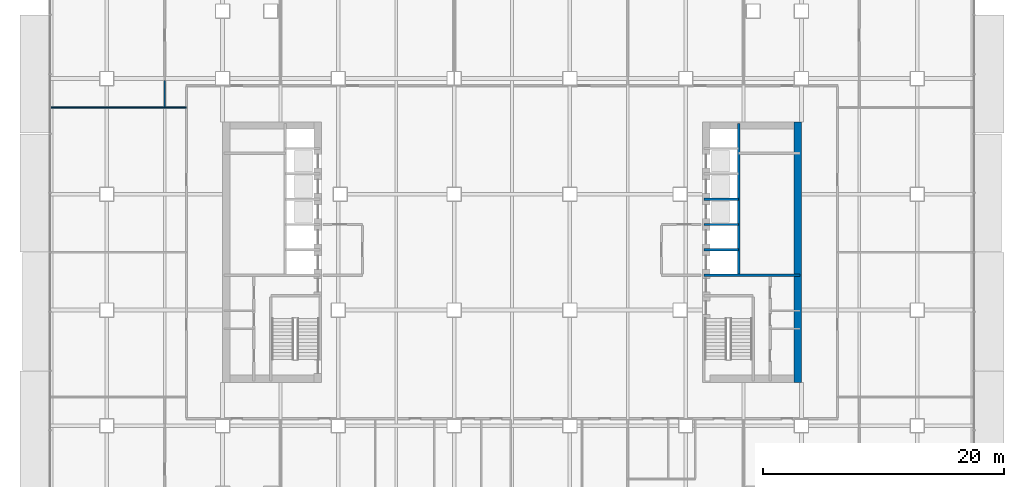
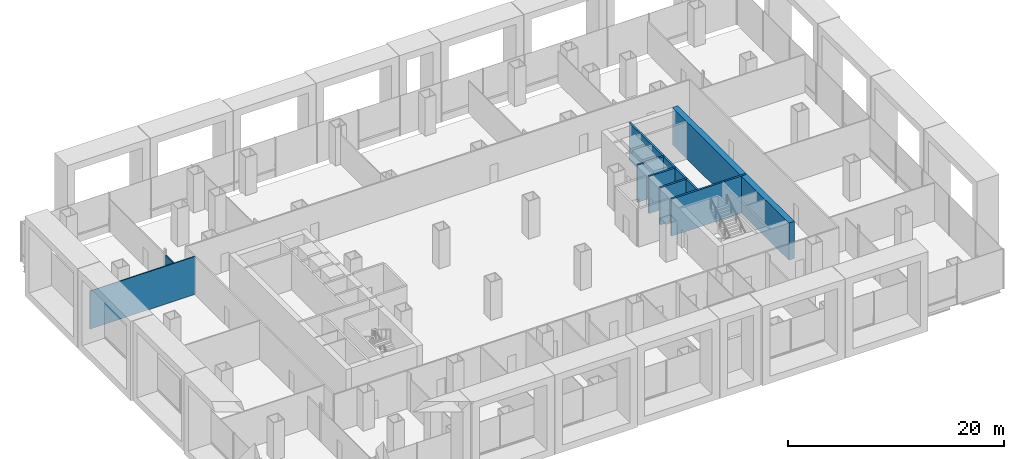
# One storey, part 16 of 23: 8 walls.
"""IFC4 building model written with IfcOpenShell, lengths in metres."""

import ifcopenshell
import ifcopenshell.guid

model = None  # the IFC model being written
_history = None  # IfcOwnerHistory: only IFC2X3 demands one
_inside = {}  # id of a spatial element -> (the spatial element, [elements in it])
_under = {}  # id of a project, library or spatial element -> (it, [spatial elements below it])
_declared = {}  # id of a project -> (the project, [libraries it declares])
_typed = {}  # id of a type object -> (the type object, [elements of that type])
_made_of = {}  # id of a material, layer set ... -> (it, [elements and type objects made of it])


def new_model(schema):
    """Start an empty IFC model of exactly this schema.

    Asked for "IFC4X3", IfcOpenShell would pick the latest addendum, in which some entities
    have other attributes; the version numbers below select the first issue.
    IFC2X3 requires an IfcOwnerHistory on every rooted entity: one is made here for all.
    """
    global model, _history
    if schema == "IFC4X3":
        model = ifcopenshell.file(schema_version=(4, 3, 0, 0))
    else:
        model = ifcopenshell.file(schema=schema)
    _inside.clear()
    _under.clear()
    _declared.clear()
    _typed.clear()
    _made_of.clear()
    _history = None
    if model.schema == "IFC2X3":
        org = make("IfcOrganization", Name="unknown")
        user = make(
            "IfcPersonAndOrganization",
            ThePerson=make("IfcPerson", FamilyName="unknown"),
            TheOrganization=org,
        )
        app = make(
            "IfcApplication",
            ApplicationDeveloper=org,
            Version="unknown",
            ApplicationFullName="unknown",
            ApplicationIdentifier="unknown",
        )
        _history = make(
            "IfcOwnerHistory",
            OwningUser=user,
            OwningApplication=app,
            ChangeAction="ADDED",
            CreationDate=0,
        )
    return model


def make(cls, **values):
    """One entity of the class cls with the attributes given. An attribute that is None is left unset."""
    return model.create_entity(
        cls, **{name: value for name, value in values.items() if value is not None}
    )


def rooted(cls, **values):
    """An entity with a GlobalId (a new one), such as an element, a storey or a relation."""
    return make(cls, GlobalId=ifcopenshell.guid.new(), OwnerHistory=_history, **values)


def si_unit(unit_type, name, prefix=None):
    """IfcSIUnit, for example si_unit("LENGTHUNIT", "METRE", prefix="MILLI")."""
    return make("IfcSIUnit", UnitType=unit_type, Prefix=prefix, Name=name)


def assignment(units):
    """IfcUnitAssignment: the units of a project."""
    return None if units is None else make("IfcUnitAssignment", Units=units)


def point(xyz):
    """IfcCartesianPoint."""
    return None if xyz is None else make("IfcCartesianPoint", Coordinates=xyz)


def direction(xyz):
    """IfcDirection."""
    return None if xyz is None else make("IfcDirection", DirectionRatios=xyz)


def frame(location, z_axis=None, x_axis=None):
    """IfcAxis2Placement3D, a coordinate frame: its origin and axes. An axis left out is left unset."""
    return make(
        "IfcAxis2Placement3D",
        Location=point(location),
        Axis=direction(z_axis),
        RefDirection=direction(x_axis),
    )


def frame_2d(location, x_axis=None):
    """IfcAxis2Placement2D, a coordinate frame in the plane: its origin and x axis."""
    return make(
        "IfcAxis2Placement2D", Location=point(location), RefDirection=direction(x_axis)
    )


def origin():
    """The frame at (0, 0, 0) with its axes left unset."""
    return frame((0.0, 0.0, 0.0))


def place(relative_to, where):
    """IfcLocalPlacement: puts the frame where relative to a parent placement (None: the world)."""
    return make(
        "IfcLocalPlacement", PlacementRelTo=relative_to, RelativePlacement=where
    )


def context(
    kind, dimensions, precision=None, world=None, true_north=None, identifier=None
):
    """IfcGeometricRepresentationContext, for example the 3D "Model" context."""
    return make(
        "IfcGeometricRepresentationContext",
        ContextIdentifier=identifier,
        ContextType=kind,
        CoordinateSpaceDimension=dimensions,
        Precision=precision,
        WorldCoordinateSystem=world,
        TrueNorth=true_north,
    )


def subcontext(parent, identifier, kind, view, scale=None):
    """IfcGeometricRepresentationSubContext, for example "Body" below "Model"."""
    return make(
        "IfcGeometricRepresentationSubContext",
        ContextIdentifier=identifier,
        ContextType=kind,
        ParentContext=parent,
        TargetScale=scale,
        TargetView=view,
    )


def project(units=None, contexts=None):
    """IfcProject with its units and contexts."""
    return rooted(
        "IfcProject",
        Name="project",
        RepresentationContexts=contexts,
        UnitsInContext=assignment(units),
    )


def spatial(cls, under=None, at=None, **own):
    """A site, building, storey or space (cls), placed at a placement, below another one or the project."""
    s = rooted(cls, ObjectPlacement=at, **own)
    if under is not None:
        _under.setdefault(under.id(), (under, []))[1].append(s)
    return s


def profile(cls, at=None, kind="AREA", **sizes):
    """A parametric profile (cls). Its sizes go by their IFC names, for example OverallWidth=200.0."""
    return make(cls, ProfileType=kind, Position=at, **sizes)


def rectangle(**sizes):
    """IfcRectangleProfileDef."""
    return profile("IfcRectangleProfileDef", **sizes)


def extrude(swept, where, along, depth):
    """IfcExtrudedAreaSolid: the profile swept, set in the frame where, extruded along a direction by depth."""
    return make(
        "IfcExtrudedAreaSolid",
        SweptArea=swept,
        Position=where,
        ExtrudedDirection=direction(along),
        Depth=depth,
    )


def shape(context_of_items, identifier, shape_type, items):
    """IfcShapeRepresentation: the items that make up one representation, for example the "Body"."""
    return make(
        "IfcShapeRepresentation",
        ContextOfItems=context_of_items,
        RepresentationIdentifier=identifier,
        RepresentationType=shape_type,
        Items=items,
    )


def material(Name=None, Category=None):
    """IfcMaterial."""
    return make("IfcMaterial", Name=Name, Category=Category)


def layer(
    of_material, thickness, ventilated=None, Name=None, Category=None, Priority=None
):
    """IfcMaterialLayer: one layer of a wall or slab, of a material (None: an air gap)."""
    return make(
        "IfcMaterialLayer",
        Material=of_material,
        LayerThickness=thickness,
        IsVentilated=ventilated,
        Name=Name,
        Category=Category,
        Priority=Priority,
    )


def layer_set(layers, Name=None):
    """IfcMaterialLayerSet."""
    return make("IfcMaterialLayerSet", MaterialLayers=layers, LayerSetName=Name)


def made_of(thing, what):
    """Note that an element or type object is made of a material, layer set ...; save() writes the relation."""
    if what is not None:
        _made_of.setdefault(what.id(), (what, []))[1].append(thing)
    return thing


def type_object(cls, material=None, **own):
    """A type object (cls), such as IfcWallType, which elements share."""
    return made_of(rooted(cls, **own), material)


def element(
    cls,
    number,
    at=None,
    inside=None,
    cuts=None,
    type_object=None,
    material=None,
    context=None,
    identifier="Body",
    shape_type=None,
    held_by="IfcProductDefinitionShape",
    body=None,
    shapes=None,
    **own,
):
    """One element of the class cls, such as IfcWall. Its Tag is "e" and its number.

    at: its placement. inside: the storey or other place that contains it. cuts: it is an
    opening in that element (IfcRelVoidsElement). A single representation is given by context,
    identifier, shape_type and body (its items); several are given by shapes. held_by: the class
    of the entity that holds the representations. save() writes the other relations.
    """
    e = rooted(cls, Tag="e%d" % number, ObjectPlacement=at, **own)
    if body is not None:
        shapes = [shape(context, identifier, shape_type, body)]
    if shapes is not None:
        e.Representation = make(held_by, Representations=shapes)
    if inside is not None:
        _inside.setdefault(inside.id(), (inside, []))[1].append(e)
    if cuts is not None:
        rooted(
            "IfcRelVoidsElement", RelatingBuildingElement=cuts, RelatedOpeningElement=e
        )
    if type_object is not None:
        _typed.setdefault(type_object.id(), (type_object, []))[1].append(e)
    return made_of(e, material)


def aggregate(whole, parts):
    """IfcRelAggregates: a whole, such as a stair, and the parts it consists of."""
    return rooted("IfcRelAggregates", RelatingObject=whole, RelatedObjects=parts)


def save(model, path):
    """Write the relations noted so far, then the file.

    IfcRelAggregates (storeys below a building ...), IfcRelContainedInSpatialStructure (elements
    in a storey), IfcRelDefinesByType, IfcRelAssociatesMaterial and IfcRelDeclares: one each for
    every whole, place, type object, material and project.
    """
    for whole, parts in _under.values():
        aggregate(whole, parts)
    for where, things in _inside.values():
        rooted(
            "IfcRelContainedInSpatialStructure",
            RelatedElements=things,
            RelatingStructure=where,
        )
    for kind, things in _typed.values():
        rooted("IfcRelDefinesByType", RelatedObjects=things, RelatingType=kind)
    for what, things in _made_of.values():
        rooted("IfcRelAssociatesMaterial", RelatedObjects=things, RelatingMaterial=what)
    for by, libraries in _declared.values():
        rooted("IfcRelDeclares", RelatingContext=by, RelatedDefinitions=libraries)
    model.write(path)


model = new_model("IFC4")

# Units and contexts
model_context = context("Model", 3, precision=1e-05, world=origin(), true_north=direction((0.0, 1.0)))
body_context = subcontext(model_context, "Body", "Model", "MODEL_VIEW")
ifc_project = project(units=[si_unit("LENGTHUNIT", "METRE"), si_unit("AREAUNIT", "SQUARE_METRE"), si_unit("VOLUMEUNIT", "CUBIC_METRE"), si_unit("PLANEANGLEUNIT", "RADIAN"), si_unit("MASSUNIT", "GRAM", prefix="KILO")], contexts=[model_context])

# Site, building, storey
site_placement = place(None, origin())
site = spatial("IfcSite", under=ifc_project, at=site_placement, CompositionType="ELEMENT")
building_placement = place(site_placement, origin())
building = spatial("IfcBuilding", under=site, at=building_placement, Name="Cobrizo Arcos Hotel Tower", CompositionType="ELEMENT")
storey_placement = place(building_placement, frame((0.0, 0.0, 24.5)))
storey = spatial("IfcBuildingStorey", under=building, at=storey_placement, Name="L04", CompositionType="ELEMENT", Elevation=24.5)

# Walls
ifc_material_1 = material(Name="Gypsum board partition")
ifc_layer_1 = layer(ifc_material_1, 0.10009765625)
ifc_layer_set_1 = layer_set([ifc_layer_1], Name="Partition EI 30 100")
wall_type_1 = type_object("IfcWallType", Name="Partition EI 30 100", PredefinedType="PARTITIONING", material=ifc_layer_set_1)
wall_1_placement = place(storey_placement, frame((-38.280029296875, 12.0, 0.0), z_axis=(0.0, 0.0, 1.0), x_axis=(1.0, 0.0, 0.0)))
element("IfcWall", 1, at=wall_1_placement, inside=storey, type_object=wall_type_1, Name="Partition 031", PredefinedType="PARTITIONING", context=body_context, shape_type="SweptSolid", body=[
    extrude(rectangle(XDim=11.280029296875, YDim=0.10009765625, at=frame_2d((5.64013671875, 0.0))), origin(), (0.0, 0.0, 1.0), 4.300048828125),
])
wall_2_placement = place(storey_placement, frame((-28.800048828125, 12.050048828125, 0.0), z_axis=(0.0, 0.0, 1.0), x_axis=(0.0, 1.0, 0.0)))
element("IfcWall", 2, at=wall_2_placement, inside=storey, type_object=wall_type_1, Name="Partition 037", PredefinedType="PARTITIONING", context=body_context, shape_type="SweptSolid", body=[
    extrude(rectangle(XDim=2.196044921875, YDim=0.10009765625, at=frame_2d((1.09814453125, 0.0))), origin(), (0.0, 0.0, 1.0), 3.68310546875),
])
ifc_material_2 = material(Name="Concrete f'c 60 MPa", Category="concrete")
ifc_layer_2 = layer(ifc_material_2, 0.60009765625)
ifc_layer_set_2 = layer_set([ifc_layer_2], Name="RC core wall 600 f'c 60")
wall_type_2 = type_object("IfcWallType", Name="RC core wall 600 f'c 60", PredefinedType="SHEAR", material=ifc_layer_set_2)
wall_3_placement = place(storey_placement, frame((23.699951171875, -10.800048828125, 0.0), z_axis=(0.0, 0.0, 1.0), x_axis=(0.0, 1.0, 0.0)))
element("IfcWall", 3, at=wall_3_placement, inside=storey, type_object=wall_type_2, Name="Core wall CW1, east core, outer face, L04", PredefinedType="SHEAR", context=body_context, shape_type="SweptSolid", body=[
    extrude(rectangle(XDim=21.60009765625, YDim=0.60009765625, at=frame_2d((10.800048828125, 0.0))), origin(), (0.0, 0.0, 1.0), 4.199951171875),
])
ifc_layer_3 = layer(ifc_material_1, 0.199951171875)
ifc_layer_set_3 = layer_set([ifc_layer_3], Name="Shaft wall EI 120 200")
wall_type_3 = type_object("IfcWallType", Name="Shaft wall EI 120 200", PredefinedType="PARTITIONING", material=ifc_layer_set_3)
wall_4_placement = place(storey_placement, frame((15.919921875, -1.89990234375, 0.0), z_axis=(0.0, 0.0, 1.0), x_axis=(1.0, 0.0, 0.0)))
element("IfcWall", 4, at=wall_4_placement, inside=storey, type_object=wall_type_3, Name="Partition 014", PredefinedType="PARTITIONING", context=body_context, shape_type="SweptSolid", body=[
    extrude(rectangle(XDim=7.9599609375, YDim=0.199951171875, at=frame_2d((3.97998046875, 0.0))), origin(), (0.0, 0.0, 1.0), 4.199951171875),
])
for number, where, z_axis, x_axis, name in (
    (5, (15.919921875, 0.199951171875, 0.0), (0.0, 0.0, 1.0), (1.0, 0.0, 0.0), "Partition 018"),
    (6, (15.919921875, 2.300048828125, 0.0), (0.0, 0.0, 1.0), (1.0, 0.0, 0.0), "Partition 022"),
    (7, (15.919921875, 4.39990234375, 0.0), (0.0, 0.0, 1.0), (1.0, 0.0, 0.0), "Partition 024"),
):
    element("IfcWall", number, at=place(storey_placement, frame(where, z_axis=z_axis, x_axis=x_axis)), inside=storey, type_object=wall_type_3, Name=name, PredefinedType="PARTITIONING", context=body_context, shape_type="SweptSolid", body=[
        extrude(rectangle(XDim=2.880126953125, YDim=0.199951171875, at=frame_2d((1.43994140625, 0.0))), origin(), (0.0, 0.0, 1.0), 4.199951171875),
    ])
wall_5_placement = place(storey_placement, frame((18.800048828125, -1.800048828125, 0.0), z_axis=(0.0, 0.0, 1.0), x_axis=(0.0, 1.0, 0.0)))
element("IfcWall", 8, at=wall_5_placement, inside=storey, type_object=wall_type_3, Name="Partition 065", PredefinedType="PARTITIONING", context=body_context, shape_type="SweptSolid", body=[
    extrude(rectangle(XDim=12.47998046875, YDim=0.199951171875, at=frame_2d((6.239990234375, 0.0))), origin(), (0.0, 0.0, 1.0), 4.199951171875),
])

save(model, "model.ifc")
